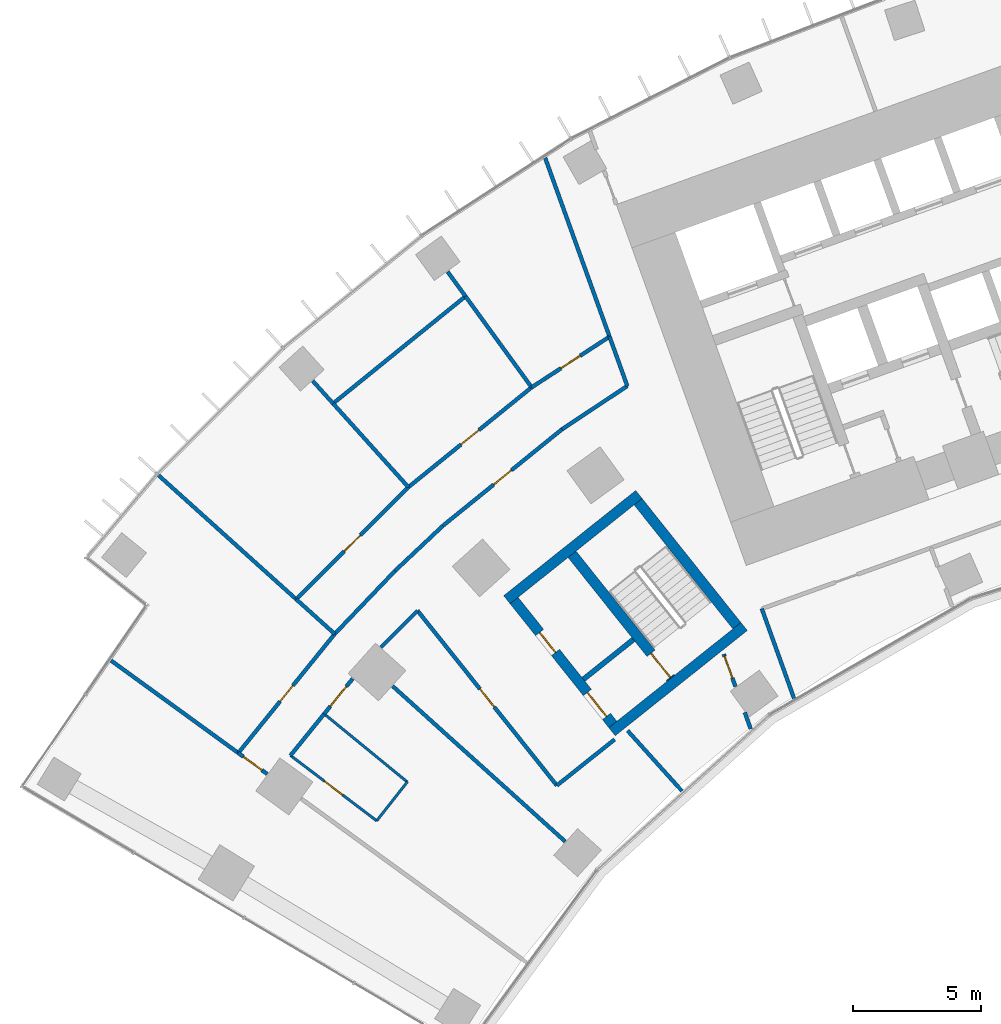
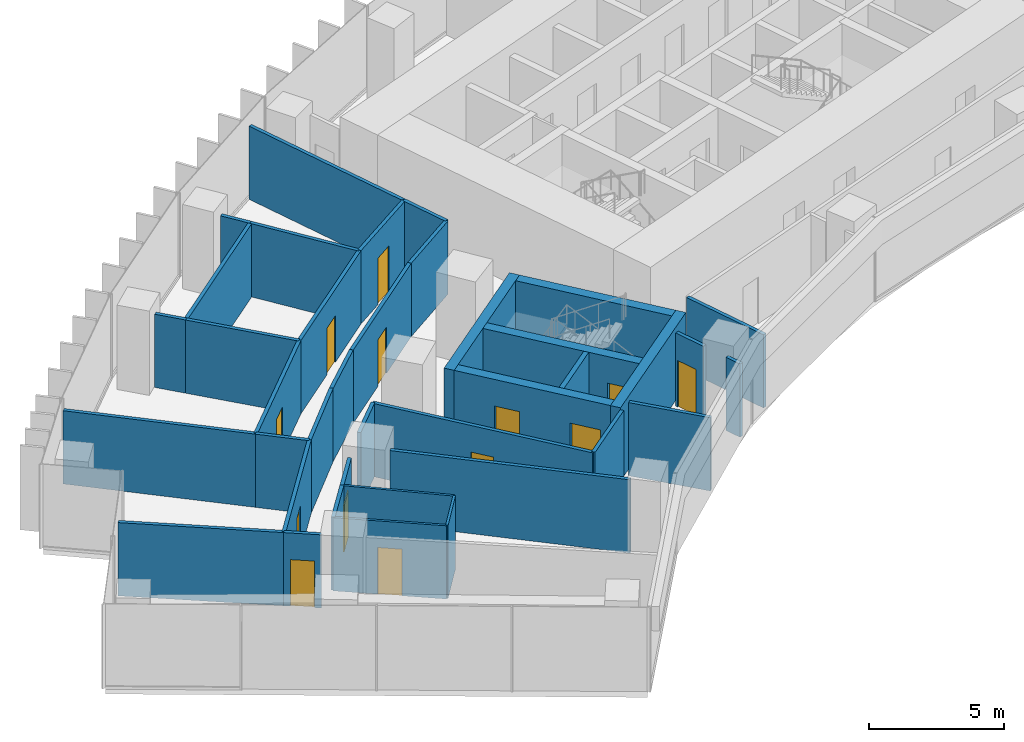
# One storey, part 17 of 24: 38 walls, 13 doors, 13 openings.
"""IFC4 building model written with IfcOpenShell, lengths in metres."""

from ifc_helpers import new_model, si_unit, direction, frame, frame_2d, origin, place, context, subcontext, project, spatial, rectangle, extrude, material, layer, layer_set, type_object, element, fill, save


model = new_model("IFC4")

# Units and contexts
model_context = context("Model", 3, precision=1e-05, world=origin(), true_north=direction((0.0, 1.0)))
body_context = subcontext(model_context, "Body", "Model", "MODEL_VIEW")
ifc_project = project(units=[si_unit("LENGTHUNIT", "METRE"), si_unit("AREAUNIT", "SQUARE_METRE"), si_unit("VOLUMEUNIT", "CUBIC_METRE"), si_unit("PLANEANGLEUNIT", "RADIAN"), si_unit("MASSUNIT", "GRAM", prefix="KILO")], contexts=[model_context])

# Site, building, storey
site_placement = place(None, origin())
site = spatial("IfcSite", under=ifc_project, at=site_placement, CompositionType="ELEMENT")
building_placement = place(site_placement, origin())
building = spatial("IfcBuilding", under=site, at=building_placement, Name="Stone Belt Terrace Tower", CompositionType="ELEMENT")
storey_placement = place(building_placement, frame((0.0, 0.0, 75.60009765625)))
storey = spatial("IfcBuildingStorey", under=building, at=storey_placement, Name="L18", CompositionType="ELEMENT", Elevation=75.60009765625)

# Wall, opening, door
ifc_material_1 = material(Name="Gypsum board partition")
ifc_layer_1 = layer(ifc_material_1, 0.10009765625)
ifc_layer_set_1 = layer_set([ifc_layer_1], Name="PARTITION 100")
wall_type_1 = type_object("IfcWallType", Name="PARTITION 100", PredefinedType="PARTITIONING", material=ifc_layer_set_1)
wall_1_placement = place(storey_placement, frame((-44.25390625, 33.5390625, 0.0), z_axis=(0.0, 0.0, 1.0), x_axis=(0.796975913628, -0.604011086899, 0.0)))
wall_1 = element("IfcWall", 1, at=wall_1_placement, inside=storey, type_object=wall_type_1, Name="L18/wall/i046", PredefinedType="PARTITIONING", context=body_context, shape_type="SweptSolid", body=[
    extrude(rectangle(XDim=4.228271484375, YDim=0.10009765625, at=frame_2d((2.1142578125, 0.0))), origin(), (0.0, 0.0, 1.0), 3.2998046875),
])
opening_1_placement = place(wall_1_placement, frame((1.664306640625, 0.0, 0.0)))
opening_1 = element("IfcOpeningElement", 2, at=opening_1_placement, cuts=wall_1, Name="Opening D-A5-13", PredefinedType="OPENING", context=body_context, shape_type="SweptSolid", body=[
    extrude(rectangle(XDim=0.89990234375, YDim=2.10009765625, at=frame_2d((0.449951171875, 1.050048828125))), frame((0.0, 0.06005859375, 0.0), z_axis=(0.0, -1.0, 0.0), x_axis=(1.0, 0.0, 0.0)), (0.0, 0.0, 1.0), 0.1201171875),
])
ifc_material_2 = material(Name="Timber door leaf", Category="wood")
door_type_1 = type_object("IfcDoorType", Name="OFFICE DOOR 900 X 2100", OperationType="NOTDEFINED", PredefinedType="DOOR", material=ifc_material_2)
door_1_placement = place(opening_1_placement, origin())
door_1 = element("IfcDoor", 3, at=door_1_placement, inside=storey, type_object=door_type_1, Name="L18/door/i13", OperationType="SINGLE_SWING_RIGHT", OverallHeight=2.10009765625, OverallWidth=0.89990234375, PredefinedType="DOOR", context=body_context, shape_type="SweptSolid", body=[
    extrude(rectangle(XDim=0.89990234375, YDim=2.10009765625, at=frame_2d((0.449951171875, 1.050048828125))), frame((0.0, 0.02490234375, 0.0), z_axis=(0.0, -1.0, 0.0), x_axis=(1.0, 0.0, 0.0)), (0.0, 0.0, 1.0), 0.050048828125),
])
fill(opening_1, door_1)

# Walls
wall_2_placement = place(storey_placement, frame((-40.884033203125, 30.985107421875, 0.0), z_axis=(0.0, 0.0, 1.0), x_axis=(0.618931278162, 0.785445143159, 0.0)))
element("IfcWall", 4, at=wall_2_placement, inside=storey, type_object=wall_type_1, Name="L18/wall/i047", PredefinedType="PARTITIONING", context=body_context, shape_type="SweptSolid", body=[
    extrude(rectangle(XDim=1.932373046875, YDim=0.10009765625, at=frame_2d((0.96630859375, 0.0))), origin(), (0.0, 0.0, 1.0), 3.2998046875),
])
wall_3_placement = place(storey_placement, frame((-39.68798828125, 32.5029296875, 0.0), z_axis=(0.0, 0.0, 1.0), x_axis=(-0.773605047101, 0.633668076441, 0.0)))
element("IfcWall", 5, at=wall_3_placement, inside=storey, type_object=wall_type_1, Name="L18/wall/i048", PredefinedType="PARTITIONING", context=body_context, shape_type="SweptSolid", body=[
    extrude(rectangle(XDim=4.201171875, YDim=0.10009765625, at=frame_2d((2.1005859375, 0.0))), origin(), (0.0, 0.0, 1.0), 3.2998046875),
])
ifc_layer_2 = layer(ifc_material_1, 0.14990234375)
ifc_layer_set_2 = layer_set([ifc_layer_2], Name="PARTITION 150 EI 60")
wall_type_2 = type_object("IfcWallType", Name="PARTITION 150 EI 60", PredefinedType="PARTITIONING", material=ifc_layer_set_2)
wall_4_placement = place(storey_placement, frame((-25.826904296875, 39.281005859375, 0.0), z_axis=(0.0, 0.0, 1.0), x_axis=(0.338392582605, -0.941005026574, 0.0)))
element("IfcWall", 6, at=wall_4_placement, inside=storey, type_object=wall_type_2, Name="L18/wall/i001", PredefinedType="PARTITIONING", context=body_context, shape_type="SweptSolid", body=[
    extrude(rectangle(XDim=3.729248046875, YDim=0.14990234375, at=frame_2d((1.86474609375, 0.0))), origin(), (0.0, 0.0, 1.0), 3.2998046875),
])
wall_5_placement = place(storey_placement, frame((-26.25732421875, 34.572021484375, 0.0), z_axis=(0.0, 0.0, 1.0), x_axis=(-0.338832657553, 0.940846656037, 0.0)))
element("IfcWall", 7, at=wall_5_placement, inside=storey, type_object=wall_type_2, Name="L18/wall/i004", PredefinedType="PARTITIONING", context=body_context, shape_type="SweptSolid", body=[
    extrude(rectangle(XDim=0.6875, YDim=0.14990234375, at=frame_2d((0.34375, 0.0))), origin(), (0.0, 0.0, 1.0), 3.2998046875),
])

# Wall, opening, door
wall_6_placement = place(storey_placement, frame((-26.85595703125, 36.234619140625, 0.0), z_axis=(0.0, 0.0, 1.0), x_axis=(-0.338828657155, 0.940848096714, 0.0)))
wall_6 = element("IfcWall", 8, at=wall_6_placement, inside=storey, type_object=wall_type_2, Name="L18/wall/i005", PredefinedType="PARTITIONING", context=body_context, shape_type="SweptSolid", body=[
    extrude(rectangle(XDim=1.345947265625, YDim=0.14990234375, at=frame_2d((0.6728515625, 0.0))), origin(), (0.0, 0.0, 1.0), 3.2998046875),
])
opening_2_placement = place(wall_6_placement, frame((0.3515625, 0.0, 0.0)))
opening_2 = element("IfcOpeningElement", 9, at=opening_2_placement, cuts=wall_6, Name="Opening D-A5-10", PredefinedType="OPENING", context=body_context, shape_type="SweptSolid", body=[
    extrude(rectangle(XDim=0.89990234375, YDim=2.10009765625, at=frame_2d((0.449951171875, 1.050048828125))), frame((0.0, 0.0849609375, 0.0), z_axis=(0.0, -1.0, 0.0), x_axis=(1.0, 0.0, 0.0)), (0.0, 0.0, 1.0), 0.169921875),
])
door_2_placement = place(opening_2_placement, origin())
door_2 = element("IfcDoor", 10, at=door_2_placement, inside=storey, type_object=door_type_1, Name="L18/door/i10", OperationType="SINGLE_SWING_RIGHT", OverallHeight=2.10009765625, OverallWidth=0.89990234375, PredefinedType="DOOR", context=body_context, shape_type="SweptSolid", body=[
    extrude(rectangle(XDim=0.89990234375, YDim=2.10009765625, at=frame_2d((0.449951171875, 1.050048828125))), frame((0.0, 0.02490234375, 0.0), z_axis=(0.0, -1.0, 0.0), x_axis=(1.0, 0.0, 0.0)), (0.0, 0.0, 1.0), 0.050048828125),
])
fill(opening_2, door_2)

# Walls
wall_7_placement = place(storey_placement, frame((-31.0830078125, 47.98193359375, 0.0), z_axis=(0.0, 0.0, 1.0), x_axis=(-0.338937449327, 0.940808910164, 0.0)))
element("IfcWall", 11, at=wall_7_placement, inside=storey, type_object=wall_type_2, Name="L18/wall/i006", PredefinedType="PARTITIONING", context=body_context, shape_type="SweptSolid", body=[
    extrude(rectangle(XDim=2.062255859375, YDim=0.14990234375, at=frame_2d((1.03125, 0.0))), origin(), (0.0, 0.0, 1.0), 3.2998046875),
])
wall_8_placement = place(storey_placement, frame((-31.778076171875, 49.909912109375, 0.0), z_axis=(0.0, 0.0, 1.0), x_axis=(-0.338711334353, 0.94089034004, 0.0)))
element("IfcWall", 12, at=wall_8_placement, inside=storey, type_object=wall_type_2, Name="L18/wall/i007", PredefinedType="PARTITIONING", context=body_context, shape_type="SweptSolid", body=[
    extrude(rectangle(XDim=7.43994140625, YDim=0.14990234375, at=frame_2d((3.719970703125, 0.0))), origin(), (0.0, 0.0, 1.0), 3.2998046875),
])

# Wall, opening, door
wall_9_placement = place(storey_placement, frame((-45.167236328125, 32.816162109375, 0.0), z_axis=(0.0, 0.0, 1.0), x_axis=(-0.809353623303, 0.587321643094, 0.0)))
wall_9 = element("IfcWall", 13, at=wall_9_placement, inside=storey, type_object=wall_type_2, Name="L18/wall/i031", PredefinedType="PARTITIONING", context=body_context, shape_type="SweptSolid", body=[
    extrude(rectangle(XDim=1.40087890625, YDim=0.14990234375, at=frame_2d((0.700439453125, 0.0))), origin(), (0.0, 0.0, 1.0), 3.2998046875),
])
opening_3_placement = place(wall_9_placement, frame((0.25048828125, 0.0, 0.0)))
opening_3 = element("IfcOpeningElement", 14, at=opening_3_placement, cuts=wall_9, Name="Opening D-A5-09", PredefinedType="OPENING", context=body_context, shape_type="SweptSolid", body=[
    extrude(rectangle(XDim=0.89990234375, YDim=2.10009765625, at=frame_2d((0.449951171875, 1.050048828125))), frame((0.0, 0.0849609375, 0.0), z_axis=(0.0, -1.0, 0.0), x_axis=(1.0, 0.0, 0.0)), (0.0, 0.0, 1.0), 0.169921875),
])
ifc_material_3 = material(Name="Timber fire door leaf", Category="wood")
door_type_2 = type_object("IfcDoorType", Name="TENANCY ENTRANCE DOOR 900 X 2100", OperationType="NOTDEFINED", PredefinedType="DOOR", material=ifc_material_3)
door_3_placement = place(opening_3_placement, origin())
door_3 = element("IfcDoor", 15, at=door_3_placement, inside=storey, type_object=door_type_2, Name="L18/door/i09", OperationType="SINGLE_SWING_RIGHT", OverallHeight=2.10009765625, OverallWidth=0.89990234375, PredefinedType="DOOR", context=body_context, shape_type="SweptSolid", body=[
    extrude(rectangle(XDim=0.89990234375, YDim=2.10009765625, at=frame_2d((0.449951171875, 1.050048828125))), frame((0.0, 0.02490234375, 0.0), z_axis=(0.0, -1.0, 0.0), x_axis=(1.0, 0.0, 0.0)), (0.0, 0.0, 1.0), 0.050048828125),
])
fill(opening_3, door_3)

# Walls
wall_10_placement = place(storey_placement, frame((-51.27294921875, 37.251708984375, 0.0), z_axis=(0.0, 0.0, 1.0), x_axis=(0.809013729568, -0.587789745887, 0.0)))
element("IfcWall", 16, at=wall_10_placement, inside=storey, type_object=wall_type_2, Name="L18/wall/i033", PredefinedType="PARTITIONING", context=body_context, shape_type="SweptSolid", body=[
    extrude(rectangle(XDim=6.157958984375, YDim=0.14990234375, at=frame_2d((3.0791015625, 0.0))), origin(), (0.0, 0.0, 1.0), 3.2998046875),
])
wall_11_placement = place(storey_placement, frame((-40.1640625, 40.761962890625, 0.0), z_axis=(0.0, 0.0, 1.0), x_axis=(0.727996599904, 0.685580739613, 0.0)))
element("IfcWall", 17, at=wall_11_placement, inside=storey, type_object=wall_type_2, Name="L18/wall/i034", PredefinedType="PARTITIONING", context=body_context, shape_type="SweptSolid", body=[
    extrude(rectangle(XDim=2.572998046875, YDim=0.14990234375, at=frame_2d((1.28662109375, 0.0))), origin(), (0.0, 0.0, 1.0), 3.2998046875),
])

# Wall, opening, door
wall_12_placement = place(storey_placement, frame((-38.2900390625, 42.527099609375, 0.0), z_axis=(0.0, 0.0, 1.0), x_axis=(0.77714422733, 0.629322532513, 0.0)))
wall_12 = element("IfcWall", 18, at=wall_12_placement, inside=storey, type_object=wall_type_2, Name="L18/wall/i035", PredefinedType="PARTITIONING", context=body_context, shape_type="SweptSolid", body=[
    extrude(rectangle(XDim=5.98876953125, YDim=0.14990234375, at=frame_2d((2.994384765625, 0.0))), origin(), (0.0, 0.0, 1.0), 3.2998046875),
])
opening_4_placement = place(wall_12_placement, frame((2.54443359375, 0.0, 0.0)))
opening_4 = element("IfcOpeningElement", 19, at=opening_4_placement, cuts=wall_12, Name="Opening D-A5-14", PredefinedType="OPENING", context=body_context, shape_type="SweptSolid", body=[
    extrude(rectangle(XDim=0.89990234375, YDim=2.10009765625, at=frame_2d((0.449951171875, 1.050048828125))), frame((0.0, 0.0849609375, 0.0), z_axis=(0.0, -1.0, 0.0), x_axis=(1.0, 0.0, 0.0)), (0.0, 0.0, 1.0), 0.169921875),
])
door_4_placement = place(opening_4_placement, origin())
door_4 = element("IfcDoor", 20, at=door_4_placement, inside=storey, type_object=door_type_1, Name="L18/door/i14", OperationType="SINGLE_SWING_RIGHT", OverallHeight=2.10009765625, OverallWidth=0.89990234375, PredefinedType="DOOR", context=body_context, shape_type="SweptSolid", body=[
    extrude(rectangle(XDim=0.89990234375, YDim=2.10009765625, at=frame_2d((0.449951171875, 1.050048828125))), frame((0.0, 0.02490234375, 0.0), z_axis=(0.0, -1.0, 0.0), x_axis=(1.0, 0.0, 0.0)), (0.0, 0.0, 1.0), 0.050048828125),
])
fill(opening_4, door_4)

# Walls
wall_13_placement = place(storey_placement, frame((-33.635986328125, 46.2958984375, 0.0), z_axis=(0.0, 0.0, 1.0), x_axis=(0.833385857539, 0.552691607005, 0.0)))
element("IfcWall", 21, at=wall_13_placement, inside=storey, type_object=wall_type_2, Name="L18/wall/i036", PredefinedType="PARTITIONING", context=body_context, shape_type="SweptSolid", body=[
    extrude(rectangle(XDim=3.059814453125, YDim=0.14990234375, at=frame_2d((1.52978515625, 0.0))), origin(), (0.0, 0.0, 1.0), 3.2998046875),
])
wall_14_placement = place(storey_placement, frame((-39.285888671875, 39.200927734375, 0.0), z_axis=(0.0, 0.0, 1.0), x_axis=(-0.707106781187, -0.707106781187, 0.0)))
element("IfcWall", 22, at=wall_14_placement, inside=storey, type_object=wall_type_2, Name="L18/wall/i037", PredefinedType="PARTITIONING", context=body_context, shape_type="SweptSolid", body=[
    extrude(rectangle(XDim=2.017333984375, YDim=0.14990234375, at=frame_2d((1.0087890625, 0.0))), origin(), (0.0, 0.0, 1.0), 3.2998046875),
])

# Wall, opening, door
wall_15_placement = place(storey_placement, frame((-41.82373046875, 36.541259765625, 0.0), z_axis=(0.0, 0.0, 1.0), x_axis=(-0.629174517186, -0.777264065118, 0.0)))
wall_15 = element("IfcWall", 23, at=wall_15_placement, inside=storey, type_object=wall_type_2, Name="L18/wall/i038", PredefinedType="PARTITIONING", context=body_context, shape_type="SweptSolid", body=[
    extrude(rectangle(XDim=1.777099609375, YDim=0.14990234375, at=frame_2d((0.888671875, 0.0))), origin(), (0.0, 0.0, 1.0), 3.2998046875),
])
opening_5_placement = place(wall_15_placement, frame((0.388671875, 0.0, 0.0)))
opening_5 = element("IfcOpeningElement", 24, at=opening_5_placement, cuts=wall_15, Name="Opening D-A5-12", PredefinedType="OPENING", context=body_context, shape_type="SweptSolid", body=[
    extrude(rectangle(XDim=1.0, YDim=2.10009765625, at=frame_2d((0.5, 1.050048828125))), frame((0.0, 0.0849609375, 0.0), z_axis=(0.0, -1.0, 0.0), x_axis=(1.0, 0.0, 0.0)), (0.0, 0.0, 1.0), 0.169921875),
])
door_type_3 = type_object("IfcDoorType", Name="TENANCY ENTRANCE DOOR 1000 X 2100", OperationType="NOTDEFINED", PredefinedType="DOOR", material=ifc_material_3)
door_5_placement = place(opening_5_placement, origin())
door_5 = element("IfcDoor", 25, at=door_5_placement, inside=storey, type_object=door_type_3, Name="L18/door/i12", OperationType="SINGLE_SWING_RIGHT", OverallHeight=2.10009765625, OverallWidth=1.0, PredefinedType="DOOR", context=body_context, shape_type="SweptSolid", body=[
    extrude(rectangle(XDim=1.0, YDim=2.10009765625, at=frame_2d((0.5, 1.050048828125))), frame((0.0, 0.02490234375, 0.0), z_axis=(0.0, -1.0, 0.0), x_axis=(1.0, 0.0, 0.0)), (0.0, 0.0, 1.0), 0.050048828125),
])
fill(opening_5, door_5)

# Walls
wall_16_placement = place(storey_placement, frame((-42.93408203125, 35.169921875, 0.0), z_axis=(0.0, 0.0, 1.0), x_axis=(-0.629311723451, -0.77715298026, 0.0)))
element("IfcWall", 26, at=wall_16_placement, inside=storey, type_object=wall_type_2, Name="L18/wall/i039", PredefinedType="PARTITIONING", context=body_context, shape_type="SweptSolid", body=[
    extrude(rectangle(XDim=2.103759765625, YDim=0.14990234375, at=frame_2d((1.0517578125, 0.0))), origin(), (0.0, 0.0, 1.0), 3.2998046875),
])
wall_17_placement = place(storey_placement, frame((-42.52587890625, 38.291015625, 0.0), z_axis=(0.0, 0.0, 1.0), x_axis=(0.690963131402, 0.722889999269, 0.0)))
element("IfcWall", 27, at=wall_17_placement, inside=storey, type_object=wall_type_2, Name="L18/wall/i040", PredefinedType="PARTITIONING", context=body_context, shape_type="SweptSolid", body=[
    extrude(rectangle(XDim=3.418212890625, YDim=0.14990234375, at=frame_2d((1.708984375, 0.0))), origin(), (0.0, 0.0, 1.0), 3.2998046875),
])

# Wall, opening, door
wall_18_placement = place(storey_placement, frame((-46.2958984375, 33.635986328125, 0.0), z_axis=(0.0, 0.0, 1.0), x_axis=(0.629322532513, 0.77714422733, 0.0)))
wall_18 = element("IfcWall", 28, at=wall_18_placement, inside=storey, type_object=wall_type_2, Name="L18/wall/i041", PredefinedType="PARTITIONING", context=body_context, shape_type="SweptSolid", body=[
    extrude(rectangle(XDim=5.98876953125, YDim=0.14990234375, at=frame_2d((2.994384765625, 0.0))), origin(), (0.0, 0.0, 1.0), 3.2998046875),
])
opening_6_placement = place(wall_18_placement, frame((2.594482421875, 0.0, 0.0)))
opening_6 = element("IfcOpeningElement", 29, at=opening_6_placement, cuts=wall_18, Name="Opening D-A5-18", PredefinedType="OPENING", context=body_context, shape_type="SweptSolid", body=[
    extrude(rectangle(XDim=0.800048828125, YDim=2.10009765625, at=frame_2d((0.39990234375, 1.050048828125))), frame((0.0, 0.0849609375, 0.0), z_axis=(0.0, -1.0, 0.0), x_axis=(1.0, 0.0, 0.0)), (0.0, 0.0, 1.0), 0.169921875),
])
door_type_4 = type_object("IfcDoorType", Name="STORE DOOR 800 X 2100", OperationType="NOTDEFINED", PredefinedType="DOOR", material=ifc_material_2)
door_6_placement = place(opening_6_placement, origin())
door_6 = element("IfcDoor", 30, at=door_6_placement, inside=storey, type_object=door_type_4, Name="L18/door/i18", OperationType="SINGLE_SWING_LEFT", OverallHeight=2.10009765625, OverallWidth=0.800048828125, PredefinedType="DOOR", context=body_context, shape_type="SweptSolid", body=[
    extrude(rectangle(XDim=0.800048828125, YDim=2.10009765625, at=frame_2d((0.39990234375, 1.050048828125))), frame((0.0, 0.02490234375, 0.0), z_axis=(0.0, -1.0, 0.0), x_axis=(1.0, 0.0, 0.0)), (0.0, 0.0, 1.0), 0.050048828125),
])
fill(opening_6, door_6)

# Wall
wall_19_placement = place(storey_placement, frame((-31.5810546875, 34.1650390625, 0.0), z_axis=(0.0, 0.0, 1.0), x_axis=(-0.782079504581, -0.623178665003, 0.0)))
element("IfcWall", 31, at=wall_19_placement, inside=storey, type_object=wall_type_2, Name="L18/wall/i042", PredefinedType="PARTITIONING", context=body_context, shape_type="SweptSolid", body=[
    extrude(rectangle(XDim=2.888427734375, YDim=0.14990234375, at=frame_2d((1.4443359375, 0.0))), origin(), (0.0, 0.0, 1.0), 3.2998046875),
])

# Wall, opening, door
wall_20_placement = place(storey_placement, frame((-33.840087890625, 32.364990234375, 0.0), z_axis=(0.0, 0.0, 1.0), x_axis=(-0.623151683061, 0.782101003643, 0.0)))
wall_20 = element("IfcWall", 32, at=wall_20_placement, inside=storey, type_object=wall_type_2, Name="L18/wall/i043", PredefinedType="PARTITIONING", context=body_context, shape_type="SweptSolid", body=[
    extrude(rectangle(XDim=8.745849609375, YDim=0.14990234375, at=frame_2d((4.373046875, 0.0))), origin(), (0.0, 0.0, 1.0), 3.2998046875),
])
opening_7_placement = place(wall_20_placement, frame((3.9228515625, 0.0, 0.0)))
opening_7 = element("IfcOpeningElement", 33, at=opening_7_placement, cuts=wall_20, Name="Opening D-A5-11", PredefinedType="OPENING", context=body_context, shape_type="SweptSolid", body=[
    extrude(rectangle(XDim=0.89990234375, YDim=2.10009765625, at=frame_2d((0.449951171875, 1.050048828125))), frame((0.0, 0.0849609375, 0.0), z_axis=(0.0, -1.0, 0.0), x_axis=(1.0, 0.0, 0.0)), (0.0, 0.0, 1.0), 0.169921875),
])
door_7_placement = place(opening_7_placement, origin())
door_7 = element("IfcDoor", 34, at=door_7_placement, inside=storey, type_object=door_type_1, Name="L18/door/i11", OperationType="SINGLE_SWING_RIGHT", OverallHeight=2.10009765625, OverallWidth=0.89990234375, PredefinedType="DOOR", context=body_context, shape_type="SweptSolid", body=[
    extrude(rectangle(XDim=0.89990234375, YDim=2.10009765625, at=frame_2d((0.449951171875, 1.050048828125))), frame((0.0, 0.02490234375, 0.0), z_axis=(0.0, -1.0, 0.0), x_axis=(1.0, 0.0, 0.0)), (0.0, 0.0, 1.0), 0.050048828125),
])
fill(opening_7, door_7)

# Walls
wall_21_placement = place(storey_placement, frame((-28.94775390625, 32.149658203125, 0.0), z_axis=(0.0, 0.0, 1.0), x_axis=(-0.669245279782, 0.74304155704, 0.0)))
element("IfcWall", 35, at=wall_21_placement, inside=storey, type_object=wall_type_2, Name="L18/wall/i044", PredefinedType="PARTITIONING", context=body_context, shape_type="SweptSolid", body=[
    extrude(rectangle(XDim=3.172607421875, YDim=0.14990234375, at=frame_2d((1.58642578125, 0.0))), origin(), (0.0, 0.0, 1.0), 3.2998046875),
])
wall_22_placement = place(storey_placement, frame((-33.515869140625, 30.177734375, 0.0), z_axis=(0.0, 0.0, 1.0), x_axis=(-0.743122805234, 0.669155061508, 0.0)))
element("IfcWall", 36, at=wall_22_placement, inside=storey, type_object=wall_type_2, Name="L18/wall/i045", PredefinedType="PARTITIONING", context=body_context, shape_type="SweptSolid", body=[
    extrude(rectangle(XDim=9.070068359375, YDim=0.14990234375, at=frame_2d((4.53515625, 0.0))), origin(), (0.0, 0.0, 1.0), 3.2998046875),
])

# Wall, opening, door
wall_23_placement = place(storey_placement, frame((-44.030029296875, 39.64599609375, 0.0), z_axis=(0.0, 0.0, 1.0), x_axis=(0.707106781187, 0.707106781187, 0.0)))
wall_23 = element("IfcWall", 37, at=wall_23_placement, inside=storey, type_object=wall_type_2, Name="L18/wall/i049", PredefinedType="PARTITIONING", context=body_context, shape_type="SweptSolid", body=[
    extrude(rectangle(XDim=6.201416015625, YDim=0.14990234375, at=frame_2d((3.1005859375, 0.0))), origin(), (0.0, 0.0, 1.0), 3.2998046875),
])
opening_8_placement = place(wall_23_placement, frame((2.650634765625, 0.0, 0.0)))
opening_8 = element("IfcOpeningElement", 38, at=opening_8_placement, cuts=wall_23, Name="Opening D-A5-15", PredefinedType="OPENING", context=body_context, shape_type="SweptSolid", body=[
    extrude(rectangle(XDim=0.89990234375, YDim=2.10009765625, at=frame_2d((0.449951171875, 1.050048828125))), frame((0.0, 0.0849609375, 0.0), z_axis=(0.0, -1.0, 0.0), x_axis=(1.0, 0.0, 0.0)), (0.0, 0.0, 1.0), 0.169921875),
])
door_8_placement = place(opening_8_placement, origin())
door_8 = element("IfcDoor", 39, at=door_8_placement, inside=storey, type_object=door_type_1, Name="L18/door/i15", OperationType="SINGLE_SWING_RIGHT", OverallHeight=2.10009765625, OverallWidth=0.89990234375, PredefinedType="DOOR", context=body_context, shape_type="SweptSolid", body=[
    extrude(rectangle(XDim=0.89990234375, YDim=2.10009765625, at=frame_2d((0.449951171875, 1.050048828125))), frame((0.0, 0.02490234375, 0.0), z_axis=(0.0, -1.0, 0.0), x_axis=(1.0, 0.0, 0.0)), (0.0, 0.0, 1.0), 0.050048828125),
])
fill(opening_8, door_8)

wall_24_placement = place(storey_placement, frame((-39.64501953125, 44.031005859375, 0.0), z_axis=(0.0, 0.0, 1.0), x_axis=(0.777094493267, 0.629383943658, 0.0)))
wall_24 = element("IfcWall", 40, at=wall_24_placement, inside=storey, type_object=wall_type_2, Name="L18/wall/i050", PredefinedType="PARTITIONING", context=body_context, shape_type="SweptSolid", body=[
    extrude(rectangle(XDim=6.201416015625, YDim=0.14990234375, at=frame_2d((3.1005859375, 0.0))), origin(), (0.0, 0.0, 1.0), 3.2998046875),
])
opening_9_placement = place(wall_24_placement, frame((2.650634765625, 0.0, 0.0)))
opening_9 = element("IfcOpeningElement", 41, at=opening_9_placement, cuts=wall_24, Name="Opening D-A5-16", PredefinedType="OPENING", context=body_context, shape_type="SweptSolid", body=[
    extrude(rectangle(XDim=0.89990234375, YDim=2.10009765625, at=frame_2d((0.449951171875, 1.050048828125))), frame((0.0, 0.0849609375, 0.0), z_axis=(0.0, -1.0, 0.0), x_axis=(1.0, 0.0, 0.0)), (0.0, 0.0, 1.0), 0.169921875),
])
door_9_placement = place(opening_9_placement, origin())
door_9 = element("IfcDoor", 42, at=door_9_placement, inside=storey, type_object=door_type_1, Name="L18/door/i16", OperationType="SINGLE_SWING_RIGHT", OverallHeight=2.10009765625, OverallWidth=0.89990234375, PredefinedType="DOOR", context=body_context, shape_type="SweptSolid", body=[
    extrude(rectangle(XDim=0.89990234375, YDim=2.10009765625, at=frame_2d((0.449951171875, 1.050048828125))), frame((0.0, 0.02490234375, 0.0), z_axis=(0.0, -1.0, 0.0), x_axis=(1.0, 0.0, 0.0)), (0.0, 0.0, 1.0), 0.050048828125),
])
fill(opening_9, door_9)

wall_25_placement = place(storey_placement, frame((-34.825927734375, 47.93408203125, 0.0), z_axis=(0.0, 0.0, 1.0), x_axis=(0.838179507416, 0.545394456653, 0.0)))
wall_25 = element("IfcWall", 43, at=wall_25_placement, inside=storey, type_object=wall_type_2, Name="L18/wall/i051", PredefinedType="PARTITIONING", context=body_context, shape_type="SweptSolid", body=[
    extrude(rectangle(XDim=3.634033203125, YDim=0.14990234375, at=frame_2d((1.81689453125, 0.0))), origin(), (0.0, 0.0, 1.0), 3.2998046875),
])
opening_10_placement = place(wall_25_placement, frame((1.366943359375, 0.0, 0.0)))
opening_10 = element("IfcOpeningElement", 44, at=opening_10_placement, cuts=wall_25, Name="Opening D-A5-17", PredefinedType="OPENING", context=body_context, shape_type="SweptSolid", body=[
    extrude(rectangle(XDim=0.89990234375, YDim=2.10009765625, at=frame_2d((0.449951171875, 1.050048828125))), frame((0.0, 0.0849609375, 0.0), z_axis=(0.0, -1.0, 0.0), x_axis=(1.0, 0.0, 0.0)), (0.0, 0.0, 1.0), 0.169921875),
])
door_10_placement = place(opening_10_placement, origin())
door_10 = element("IfcDoor", 45, at=door_10_placement, inside=storey, type_object=door_type_1, Name="L18/door/i17", OperationType="SINGLE_SWING_RIGHT", OverallHeight=2.10009765625, OverallWidth=0.89990234375, PredefinedType="DOOR", context=body_context, shape_type="SweptSolid", body=[
    extrude(rectangle(XDim=0.89990234375, YDim=2.10009765625, at=frame_2d((0.449951171875, 1.050048828125))), frame((0.0, 0.02490234375, 0.0), z_axis=(0.0, -1.0, 0.0), x_axis=(1.0, 0.0, 0.0)), (0.0, 0.0, 1.0), 0.050048828125),
])
fill(opening_10, door_10)

# Walls
wall_26_placement = place(storey_placement, frame((-42.52587890625, 38.291015625, 0.0), z_axis=(0.0, 0.0, 1.0), x_axis=(-0.742988249307, 0.669304460908, 0.0)))
element("IfcWall", 46, at=wall_26_placement, inside=storey, type_object=wall_type_2, Name="L18/wall/i052", PredefinedType="PARTITIONING", context=body_context, shape_type="SweptSolid", body=[
    extrude(rectangle(XDim=2.0244140625, YDim=0.14990234375, at=frame_2d((1.01220703125, 0.0))), origin(), (0.0, 0.0, 1.0), 3.2998046875),
])
wall_27_placement = place(storey_placement, frame((-42.593017578125, 47.304931640625, 0.0), z_axis=(0.0, 0.0, 1.0), x_axis=(0.669148410698, -0.743128793992, 0.0)))
element("IfcWall", 47, at=wall_27_placement, inside=storey, type_object=wall_type_2, Name="L18/wall/i053", PredefinedType="PARTITIONING", context=body_context, shape_type="SweptSolid", body=[
    extrude(rectangle(XDim=4.405517578125, YDim=0.14990234375, at=frame_2d((2.20263671875, 0.0))), origin(), (0.0, 0.0, 1.0), 3.2998046875),
])
wall_28_placement = place(storey_placement, frame((-43.382080078125, 48.18115234375, 0.0), z_axis=(0.0, 0.0, 1.0), x_axis=(0.669145878726, -0.743131073892, 0.0)))
element("IfcWall", 48, at=wall_28_placement, inside=storey, type_object=wall_type_2, Name="L18/wall/i054", PredefinedType="PARTITIONING", context=body_context, shape_type="SweptSolid", body=[
    extrude(rectangle(XDim=1.191162109375, YDim=0.14990234375, at=frame_2d((0.595703125, 0.0))), origin(), (0.0, 0.0, 1.0), 3.2998046875),
])
wall_29_placement = place(storey_placement, frame((-44.030029296875, 39.64599609375, 0.0), z_axis=(0.0, 0.0, 1.0), x_axis=(-0.74319367285, 0.669076351874, 0.0)))
element("IfcWall", 49, at=wall_29_placement, inside=storey, type_object=wall_type_2, Name="L18/wall/i055", PredefinedType="PARTITIONING", context=body_context, shape_type="SweptSolid", body=[
    extrude(rectangle(XDim=7.25, YDim=0.14990234375, at=frame_2d((3.625, 0.0))), origin(), (0.0, 0.0, 1.0), 3.2998046875),
])
wall_30_placement = place(storey_placement, frame((-42.589111328125, 47.301025390625, 0.0), z_axis=(0.0, 0.0, 1.0), x_axis=(0.777172317777, 0.629287842312, 0.0)))
element("IfcWall", 50, at=wall_30_placement, inside=storey, type_object=wall_type_2, Name="L18/wall/i056", PredefinedType="PARTITIONING", context=body_context, shape_type="SweptSolid", body=[
    extrude(rectangle(XDim=6.661376953125, YDim=0.14990234375, at=frame_2d((3.33056640625, 0.0))), origin(), (0.0, 0.0, 1.0), 3.2998046875),
])
wall_31_placement = place(storey_placement, frame((-37.412109375, 51.492919921875, 0.0), z_axis=(0.0, 0.0, 1.0), x_axis=(0.58786477972, -0.808959208344, 0.0)))
element("IfcWall", 51, at=wall_31_placement, inside=storey, type_object=wall_type_2, Name="L18/wall/i057", PredefinedType="PARTITIONING", context=body_context, shape_type="SweptSolid", body=[
    extrude(rectangle(XDim=4.399169921875, YDim=0.14990234375, at=frame_2d((2.19970703125, 0.0))), origin(), (0.0, 0.0, 1.0), 3.2998046875),
])
wall_32_placement = place(storey_placement, frame((-38.1083984375, 52.45166015625, 0.0), z_axis=(0.0, 0.0, 1.0), x_axis=(0.587632515929, -0.809127941813, 0.0)))
element("IfcWall", 52, at=wall_32_placement, inside=storey, type_object=wall_type_2, Name="L18/wall/i058", PredefinedType="PARTITIONING", context=body_context, shape_type="SweptSolid", body=[
    extrude(rectangle(XDim=1.184814453125, YDim=0.14990234375, at=frame_2d((0.59228515625, 0.0))), origin(), (0.0, 0.0, 1.0), 3.2998046875),
])
ifc_material_4 = material(Name="Concrete masonry block", Category="masonry")
ifc_layer_3 = layer(ifc_material_4, 0.199951171875)
ifc_layer_set_3 = layer_set([ifc_layer_3], Name="Rated lobby wall 200")
wall_type_3 = type_object("IfcWallType", Name="Rated lobby wall 200", PredefinedType="PARTITIONING", material=ifc_layer_set_3)
wall_33_placement = place(storey_placement, frame((-30.845703125, 38.074951171875, 0.0), z_axis=(0.0, 0.0, 1.0), x_axis=(-0.782115323833, -0.623133709749, 0.0)))
element("IfcWall", 53, at=wall_33_placement, inside=storey, type_object=wall_type_3, Name="Exit stair ST3A wall", PredefinedType="PARTITIONING", context=body_context, shape_type="SweptSolid", body=[
    extrude(rectangle(XDim=2.5, YDim=0.199951171875, at=frame_2d((1.25, 0.0))), origin(), (0.0, 0.0, 1.0), 3.2998046875),
])
ifc_material_5 = material(Name="Concrete B80", Category="concrete")
ifc_layer_4 = layer(ifc_material_5, 0.39990234375)
ifc_layer_set_4 = layer_set([ifc_layer_4], Name="Stair enclosure wall 400")
wall_type_4 = type_object("IfcWallType", Name="Stair enclosure wall 400", PredefinedType="SHEAR", material=ifc_layer_set_4)
for number, where, z_axis, x_axis, name in (
    (54, (-26.518798828125, 38.58154296875, 0.0), (0.0, 0.0, 1.0), (-0.782133914161, -0.623110375711, 0.0), "Exit stair ST3A wall"),
    (55, (-30.63134765625, 43.74365234375, 0.0), (0.0, 0.0, 1.0), (-0.782133914161, -0.623110375711, 0.0), "Exit stair ST3A wall"),
):
    element("IfcWall", number, at=place(storey_placement, frame(where, z_axis=z_axis, x_axis=x_axis)), inside=storey, type_object=wall_type_4, Name=name, PredefinedType="SHEAR", context=body_context, shape_type="SweptSolid", body=[
        extrude(rectangle(XDim=6.60009765625, YDim=0.39990234375, at=frame_2d((3.300048828125, 0.0))), origin(), (0.0, 0.0, 1.0), 3.2998046875),
    ])
wall_34_placement = place(storey_placement, frame((-26.7998046875, 38.61328125, 0.0), z_axis=(0.0, 0.0, 1.0), x_axis=(-0.623118653668, 0.782127319208, 0.0)))
element("IfcWall", 56, at=wall_34_placement, inside=storey, type_object=wall_type_4, Name="Exit stair ST3A wall", PredefinedType="SHEAR", context=body_context, shape_type="SweptSolid", body=[
    extrude(rectangle(XDim=6.199951171875, YDim=0.39990234375, at=frame_2d((3.10009765625, 0.0))), origin(), (0.0, 0.0, 1.0), 3.2998046875),
])

# Wall, openings, doors
wall_35_placement = place(storey_placement, frame((-31.64892578125, 34.75, 0.0), z_axis=(0.0, 0.0, 1.0), x_axis=(-0.623118653668, 0.782127319208, 0.0)))
wall_35 = element("IfcWall", 57, at=wall_35_placement, inside=storey, type_object=wall_type_4, Name="Exit stair ST3A wall", PredefinedType="SHEAR", context=body_context, shape_type="SweptSolid", body=[
    extrude(rectangle(XDim=6.199951171875, YDim=0.39990234375, at=frame_2d((3.10009765625, 0.0))), origin(), (0.0, 0.0, 1.0), 3.2998046875),
])
opening_11_placement = place(wall_35_placement, frame((0.39990234375, 0.0, 0.0)))
opening_11 = element("IfcOpeningElement", 58, at=opening_11_placement, cuts=wall_35, Name="Opening L18-C20", PredefinedType="OPENING", context=body_context, shape_type="SweptSolid", body=[
    extrude(rectangle(XDim=1.199951171875, YDim=2.10009765625, at=frame_2d((0.60009765625, 1.050048828125))), frame((0.0, 0.2099609375, 0.0), z_axis=(0.0, -1.0, 0.0), x_axis=(1.0, 0.0, 0.0)), (0.0, 0.0, 1.0), 0.419921875),
])
opening_12_placement = place(wall_35_placement, frame((3.60009765625, 0.0, 0.0)))
opening_12 = element("IfcOpeningElement", 59, at=opening_12_placement, cuts=wall_35, Name="Opening L18-C21", PredefinedType="OPENING", context=body_context, shape_type="SweptSolid", body=[
    extrude(rectangle(XDim=1.0, YDim=2.10009765625, at=frame_2d((0.5, 1.050048828125))), frame((0.0, 0.2099609375, 0.0), z_axis=(0.0, -1.0, 0.0), x_axis=(1.0, 0.0, 0.0)), (0.0, 0.0, 1.0), 0.419921875),
])
door_type_5 = type_object("IfcDoorType", Name="Core room door 1000", OperationType="SINGLE_SWING_LEFT", PredefinedType="DOOR", material=ifc_material_2)
door_11_placement = place(opening_12_placement, origin())
door_11 = element("IfcDoor", 60, at=door_11_placement, inside=storey, type_object=door_type_5, Name="Door to stair pressurisation plant room ST3A", OperationType="SINGLE_SWING_LEFT", OverallHeight=2.10009765625, OverallWidth=1.0, PredefinedType="DOOR", context=body_context, shape_type="SweptSolid", body=[
    extrude(rectangle(XDim=1.0, YDim=2.10009765625, at=frame_2d((0.5, 1.050048828125))), frame((0.0, 0.02490234375, 0.0), z_axis=(0.0, -1.0, 0.0), x_axis=(1.0, 0.0, 0.0)), (0.0, 0.0, 1.0), 0.050048828125),
])
fill(opening_12, door_11)
ifc_material_6 = material(Name="Steel door leaf", Category="steel")
door_type_6 = type_object("IfcDoorType", Name="Stair airlock door 1200", OperationType="SINGLE_SWING_LEFT", PredefinedType="DOOR", material=ifc_material_6)
door_12_placement = place(opening_11_placement, origin())
door_12 = element("IfcDoor", 61, at=door_12_placement, inside=storey, type_object=door_type_6, Name="Stair airlock door ST3A", OperationType="SINGLE_SWING_LEFT", OverallHeight=2.10009765625, OverallWidth=1.199951171875, PredefinedType="DOOR", context=body_context, shape_type="SweptSolid", body=[
    extrude(rectangle(XDim=1.199951171875, YDim=2.10009765625, at=frame_2d((0.60009765625, 1.050048828125))), frame((0.0, 0.02490234375, 0.0), z_axis=(0.0, -1.0, 0.0), x_axis=(1.0, 0.0, 0.0)), (0.0, 0.0, 1.0), 0.050048828125),
])
fill(opening_11, door_12)

# Wall, opening, door
wall_36_placement = place(storey_placement, frame((-29.380859375, 36.556884765625, 0.0), z_axis=(0.0, 0.0, 1.0), x_axis=(-0.623099462847, 0.782142608097, 0.0)))
wall_36 = element("IfcWall", 62, at=wall_36_placement, inside=storey, type_object=wall_type_4, Name="Exit stair ST3A wall", PredefinedType="SHEAR", context=body_context, shape_type="SweptSolid", body=[
    extrude(rectangle(XDim=6.2001953125, YDim=0.39990234375, at=frame_2d((3.10009765625, 0.0))), origin(), (0.0, 0.0, 1.0), 3.2998046875),
])
opening_13_placement = place(wall_36_placement, frame((0.050048828125, 0.0, 0.0)))
opening_13 = element("IfcOpeningElement", 63, at=opening_13_placement, cuts=wall_36, Name="Opening L18-C19", PredefinedType="OPENING", context=body_context, shape_type="SweptSolid", body=[
    extrude(rectangle(XDim=1.199951171875, YDim=2.10009765625, at=frame_2d((0.60009765625, 1.050048828125))), frame((0.0, 0.2099609375, 0.0), z_axis=(0.0, -1.0, 0.0), x_axis=(1.0, 0.0, 0.0)), (0.0, 0.0, 1.0), 0.419921875),
])
door_type_7 = type_object("IfcDoorType", Name="Stair door 1200", OperationType="SINGLE_SWING_LEFT", PredefinedType="DOOR", material=ifc_material_6)
door_13_placement = place(opening_13_placement, origin())
door_13 = element("IfcDoor", 64, at=door_13_placement, inside=storey, type_object=door_type_7, Name="Stair door ST3A", OperationType="SINGLE_SWING_RIGHT", OverallHeight=2.10009765625, OverallWidth=1.199951171875, PredefinedType="DOOR", context=body_context, shape_type="SweptSolid", body=[
    extrude(rectangle(XDim=1.199951171875, YDim=2.10009765625, at=frame_2d((0.60009765625, 1.050048828125))), frame((0.0, 0.02490234375, 0.0), z_axis=(0.0, -1.0, 0.0), x_axis=(1.0, 0.0, 0.0)), (0.0, 0.0, 1.0), 0.050048828125),
])
fill(opening_13, door_13)

save(model, "model.ifc")
